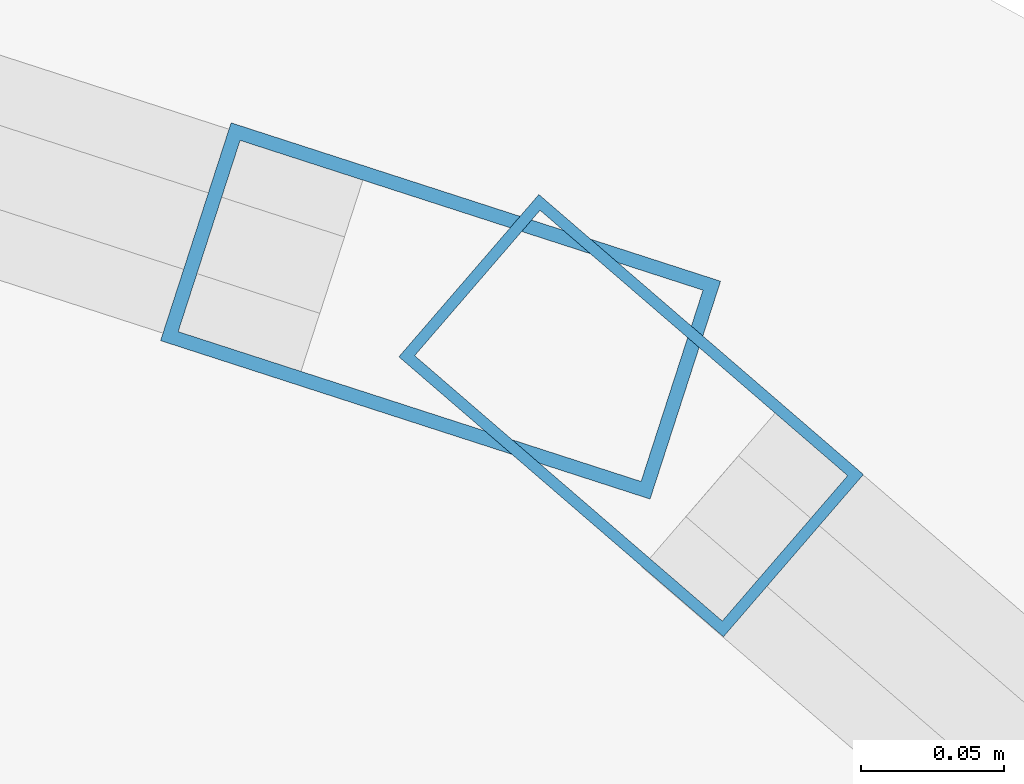
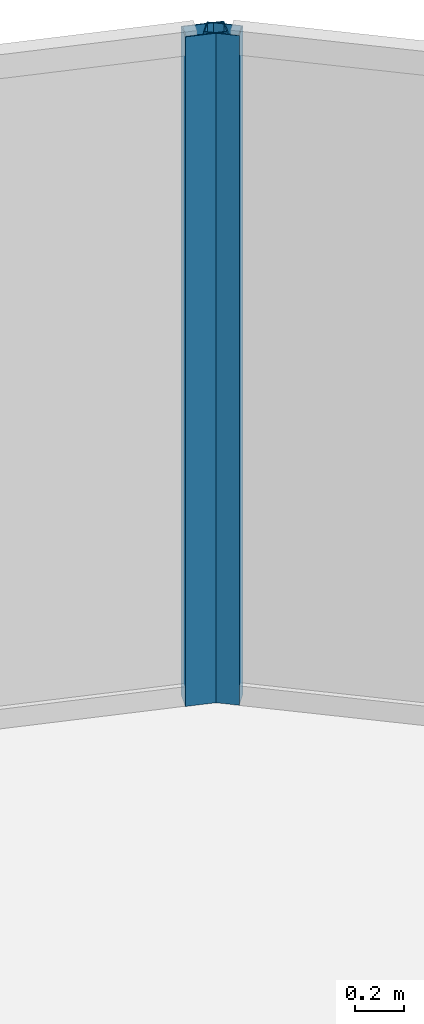
# One storey, part 19 of 33: 2 members, 2 elements without a shape of their own.
"""IFC4 building model written with IfcOpenShell, lengths in metres."""

from ifc_helpers import new_model, si_unit, direction, frame, origin, origin_2d, place, context, subcontext, project, spatial, hollow_rectangle, extrude, material, layer, layer_set, material_profile, profile_set, type_object, element, aggregate, save


model = new_model("IFC4")

# Units and contexts
model_context = context("Model", 3, precision=1e-05, world=origin(), true_north=direction((0.0, 1.0)))
body_context = subcontext(model_context, "Body", "Model", "MODEL_VIEW")
ifc_project = project(units=[si_unit("LENGTHUNIT", "METRE"), si_unit("AREAUNIT", "SQUARE_METRE"), si_unit("VOLUMEUNIT", "CUBIC_METRE"), si_unit("PLANEANGLEUNIT", "RADIAN"), si_unit("MASSUNIT", "GRAM", prefix="KILO")], contexts=[model_context])

# Site, building, storey
site_placement = place(None, origin())
site = spatial("IfcSite", under=ifc_project, at=site_placement, CompositionType="ELEMENT")
building_placement = place(site_placement, origin())
building = spatial("IfcBuilding", under=site, at=building_placement, Name="Kazevale Care Tower and Concert Hall", CompositionType="ELEMENT")
storey_placement = place(building_placement, frame((0.0, 0.0, 27.60009765625)))
storey = spatial("IfcBuildingStorey", under=building, at=storey_placement, Name="L06", CompositionType="ELEMENT", Elevation=27.60009765625)

# Curtain wall, member
ifc_material_1 = material(Name="Aluminium 6063-T6 and Low-E Glass", Category="aluminium")
ifc_layer_1 = layer(ifc_material_1, 0.179931640625)
ifc_layer_set_1 = layer_set([ifc_layer_1], Name="Aluminium 6063-T6 and Low-E Glass")
curtain_wall_type_1 = type_object("IfcCurtainWallType", Name="Convex Checkerboard Finned Curtain Wall CW-2", PredefinedType="NOTDEFINED", material=ifc_layer_set_1)
curtain_wall_1_placement = place(storey_placement, origin())
curtain_wall_1 = element("IfcCurtainWall", 1, at=curtain_wall_1_placement, inside=storey, type_object=curtain_wall_type_1, Name="cw:L06:f16", PredefinedType="NOTDEFINED")
ifc_material_2 = material(Name="Aluminium 6063-T6", Category="aluminium")
ifc_material_profile_1 = material_profile(ifc_material_2, hollow_rectangle(XDim=0.080078125, YDim=0.179931640625, WallThickness=0.0048828125, at=origin_2d()), Name="ALU80x180x5")
ifc_profile_set_1 = profile_set([ifc_material_profile_1], Name="Aluminium 6063-T6")
member_type_1 = type_object("IfcMemberType", Name="CW-2 Mullion ALU80x180x5", PredefinedType="MULLION", material=ifc_profile_set_1)
member_1_placement = place(storey_placement, frame((63.891845703125, 61.240234375, 0.0), z_axis=(0.0, 0.0, 1.0), x_axis=(0.307925769029, 0.951410385043, 0.0)))
member_1 = element("IfcMember", 2, at=member_1_placement, type_object=member_type_1, Name="CW-2 mullion 2", PredefinedType="MULLION", context=body_context, shape_type="SweptSolid", body=[
    extrude(hollow_rectangle(XDim=0.080078125, YDim=0.179931640625, WallThickness=0.0048828125, at=origin_2d()), origin(), (0.0, 0.0, 1.0), 3.35986328125),
])
aggregate(curtain_wall_1, [member_1])

ifc_layer_2 = layer(ifc_material_1, 0.179931640625)
ifc_layer_set_2 = layer_set([ifc_layer_2], Name="Aluminium 6063-T6 and Low-E Glass")
curtain_wall_type_2 = type_object("IfcCurtainWallType", Name="Convex Recessed Sunroom Curtain Wall CW-3", PredefinedType="NOTDEFINED", material=ifc_layer_set_2)
curtain_wall_2_placement = place(storey_placement, origin())
curtain_wall_2 = element("IfcCurtainWall", 3, at=curtain_wall_2_placement, inside=storey, type_object=curtain_wall_type_2, Name="cw:L06:f17", PredefinedType="NOTDEFINED")
ifc_material_profile_2 = material_profile(ifc_material_2, hollow_rectangle(XDim=0.074951171875, YDim=0.14990234375, WallThickness=0.00390625, at=origin_2d()), Name="ALU75x150x4")
ifc_profile_set_2 = profile_set([ifc_material_profile_2], Name="Aluminium 6063-T6")
member_type_2 = type_object("IfcMemberType", Name="CW-3 Mullion ALU75x150x4", PredefinedType="MULLION", material=ifc_profile_set_2)
member_2_placement = place(storey_placement, frame((63.95849609375, 61.20361328125, 0.0), z_axis=(0.0, 0.0, 1.0), x_axis=(0.653183596561, 0.757199570248, 0.0)))
member_2 = element("IfcMember", 4, at=member_2_placement, type_object=member_type_2, Name="CW-3 mullion 1", PredefinedType="MULLION", context=body_context, shape_type="SweptSolid", body=[
    extrude(hollow_rectangle(XDim=0.074951171875, YDim=0.14990234375, WallThickness=0.00390625, at=origin_2d()), origin(), (0.0, 0.0, 1.0), 3.35986328125),
])
aggregate(curtain_wall_2, [member_2])

save(model, "model.ifc")
